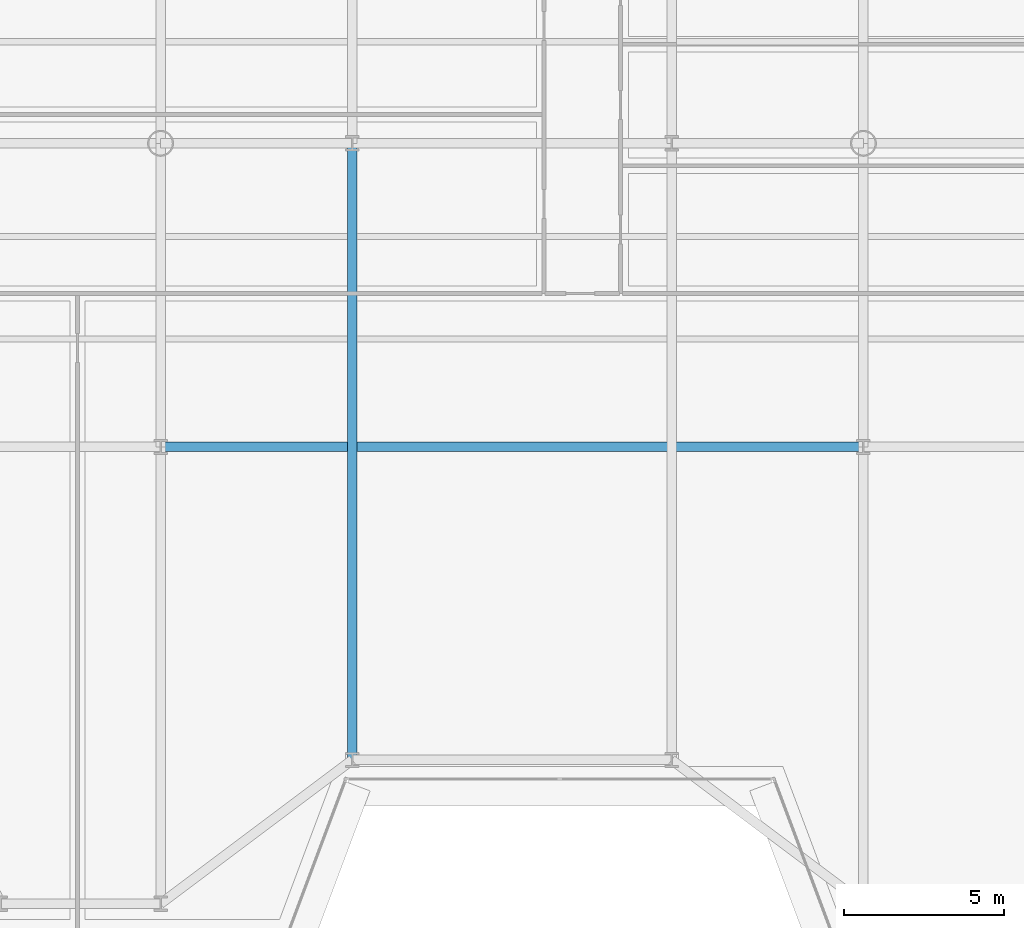
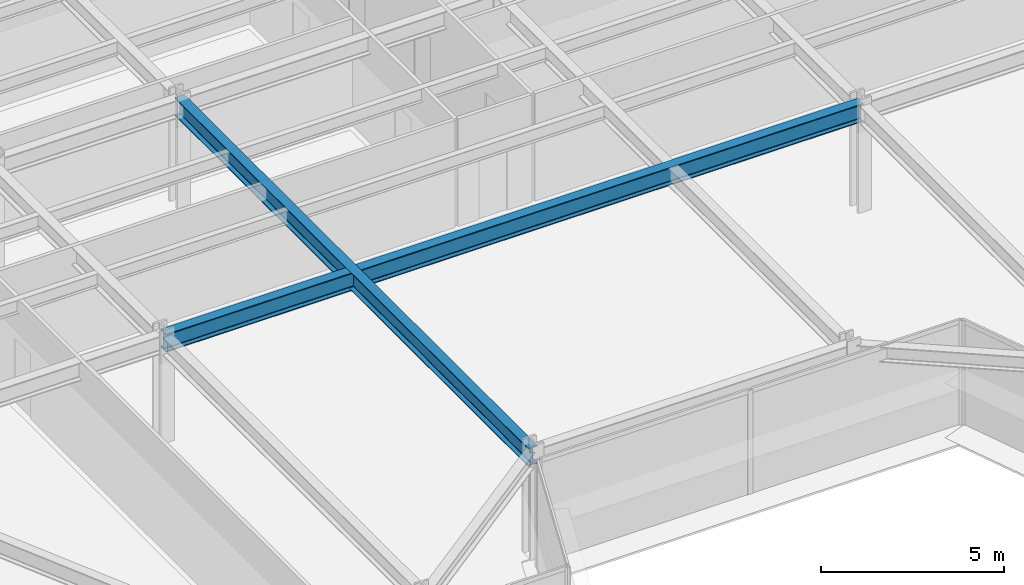
# One storey, part 3 of 17: 2 beams.
"""IFC4 building model written with IfcOpenShell, lengths in metres."""

from ifc_helpers import new_model, si_unit, direction, frame, origin, origin_2d, place, context, subcontext, project, spatial, i_section, extrude, source, transform, mapped, material, material_profile, profile_set, type_object, element, save


model = new_model("IFC4")

# Units and contexts
model_context = context("Model", 3, precision=1e-05, world=origin(), true_north=direction((0.0, 1.0)))
body_context = subcontext(model_context, "Body", "Model", "MODEL_VIEW")
ifc_project = project(units=[si_unit("LENGTHUNIT", "METRE"), si_unit("AREAUNIT", "SQUARE_METRE"), si_unit("VOLUMEUNIT", "CUBIC_METRE"), si_unit("PLANEANGLEUNIT", "RADIAN"), si_unit("MASSUNIT", "GRAM", prefix="KILO")], contexts=[model_context])

# Site, building, storey
site_placement = place(None, origin())
site = spatial("IfcSite", under=ifc_project, at=site_placement, CompositionType="ELEMENT")
building_placement = place(site_placement, origin())
building = spatial("IfcBuilding", under=site, at=building_placement, Name="Vaeldorn Concourse Tower", CompositionType="ELEMENT")
storey_placement = place(building_placement, frame((0.0, 0.0, 157.60009765625)))
storey = spatial("IfcBuildingStorey", under=building, at=storey_placement, Name="L40", CompositionType="ELEMENT", Elevation=157.60009765625)

# Beams
ifc_material = material(Name="Steel S355", Category="steel")
ifc_material_profile = material_profile(ifc_material, i_section(OverallWidth=0.300048828125, OverallDepth=0.60009765625, WebThickness=0.015380859375, FlangeThickness=0.030029296875, FilletRadius=0.027099609375, at=origin_2d()), Name="HEB 600")
ifc_profile_set = profile_set([ifc_material_profile], Name="Steel S355")
beam_type = type_object("IfcBeamType", Name="BM-PG-HEB600", PredefinedType="BEAM", material=ifc_profile_set)
shared_shape_1 = source(origin(), body_context, "Body", "SweptSolid", [
    extrude(i_section(OverallWidth=0.300048828125, OverallDepth=0.60009765625, WebThickness=0.015380859375, FlangeThickness=0.030029296875, FilletRadius=0.027099609375, at=origin_2d()), origin(), (0.0, 0.0, 1.0), 22.0),
])
beam_1_placement = place(storey_placement, frame((23.0, 18.0, 3.27978515625), z_axis=(1.0, 0.0, 0.0), x_axis=(0.0, 1.0, 0.0)))
element("IfcBeam", 1, at=beam_1_placement, inside=storey, type_object=beam_type, Name="Beam BM-L40-C-TW5-C-TW6", PredefinedType="BEAM", context=body_context, shape_type="MappedRepresentation", body=[
    mapped(shared_shape_1, transform((0.0, 0.0, 0.0), scale=1.0)),
])
shared_shape_2 = source(origin(), body_context, "Body", "SweptSolid", [
    extrude(i_section(OverallWidth=0.300048828125, OverallDepth=0.60009765625, WebThickness=0.015380859375, FlangeThickness=0.030029296875, FilletRadius=0.027099609375, at=origin_2d()), origin(), (0.0, 0.0, 1.0), 19.300048828125),
])
beam_2_placement = place(storey_placement, frame((29.0, 8.199951171875, 3.27978515625), z_axis=(0.0, 1.0, 0.0), x_axis=(-1.0, 0.0, 0.0)))
element("IfcBeam", 2, at=beam_2_placement, inside=storey, type_object=beam_type, Name="Beam BM-L40-C-SF3-C-TW2", PredefinedType="BEAM", context=body_context, shape_type="MappedRepresentation", body=[
    mapped(shared_shape_2, transform((0.0, 0.0, 0.0), scale=1.0)),
])

save(model, "model.ifc")
